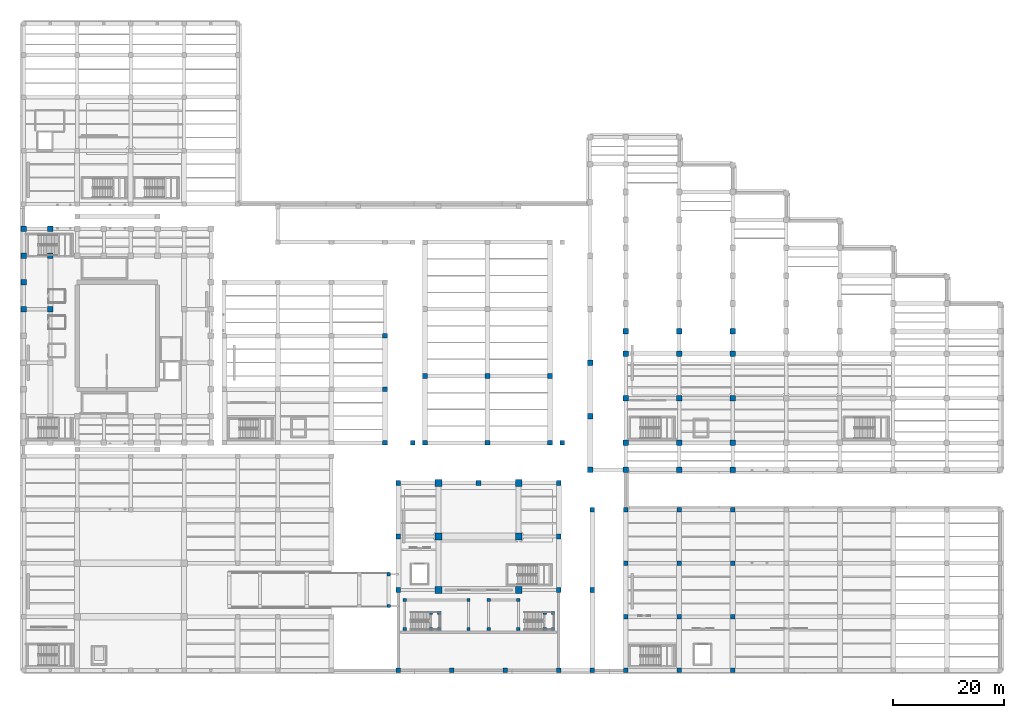
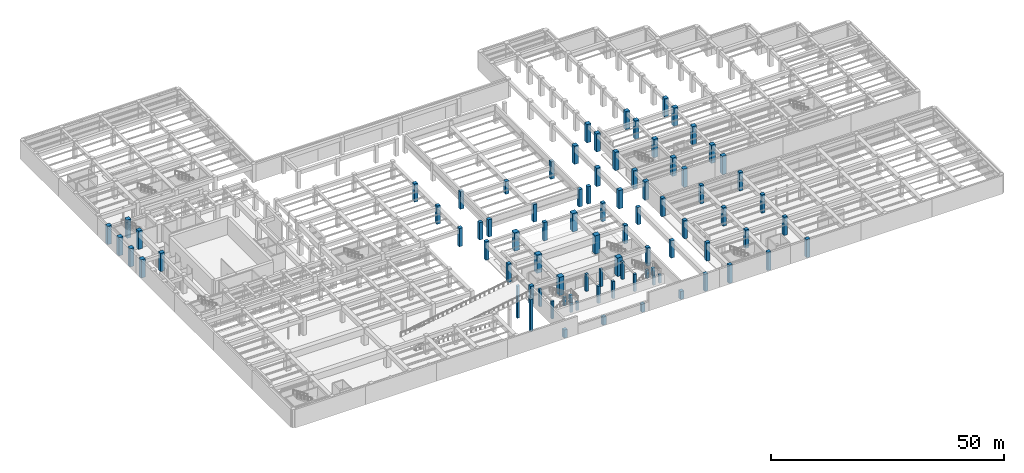
# One storey, part 6 of 45: 86 columns.
"""IFC4 building model written with IfcOpenShell, lengths in metres."""

from ifc_helpers import new_model, si_unit, direction, frame, origin, origin_2d, place, context, subcontext, project, spatial, rectangle, extrude, material, material_profile, profile_set, type_object, element, save


model = new_model("IFC4")

# Units and contexts
model_context = context("Model", 3, precision=1e-05, world=origin(), true_north=direction((0.0, 1.0)))
body_context = subcontext(model_context, "Body", "Model", "MODEL_VIEW")
ifc_project = project(units=[si_unit("LENGTHUNIT", "METRE"), si_unit("AREAUNIT", "SQUARE_METRE"), si_unit("VOLUMEUNIT", "CUBIC_METRE"), si_unit("PLANEANGLEUNIT", "RADIAN"), si_unit("MASSUNIT", "GRAM", prefix="KILO")], contexts=[model_context])

# Site, building, storey
site_placement = place(None, origin())
site = spatial("IfcSite", under=ifc_project, at=site_placement, CompositionType="ELEMENT")
building_placement = place(site_placement, origin())
building = spatial("IfcBuilding", under=site, at=building_placement, Name="Mavantir Sound Aquarium", CompositionType="ELEMENT")
storey_placement = place(building_placement, frame((0.0, 0.0, -4.800048828125)))
storey = spatial("IfcBuildingStorey", under=building, at=storey_placement, Name="B1", CompositionType="ELEMENT", Elevation=-4.800048828125)

# Columns
ifc_material = material(Name="Concrete C40/50", Category="concrete")
ifc_material_profile_1 = material_profile(ifc_material, rectangle(XDim=1.0, YDim=1.0, at=origin_2d()), Name="RC 1000X1000")
ifc_profile_set_1 = profile_set([ifc_material_profile_1], Name="Concrete C40/50")
column_type_1 = type_object("IfcColumnType", Name="COL-RC1000-E", PredefinedType="COLUMN", material=ifc_profile_set_1)
for number, where, z_axis, x_axis, name in (
    (1, (0.0, 64.800048828125, 0.0), (0.0, 0.0, 1.0), (1.0, 0.0, 0.0), "B1 column RC-C10 (V1)"),
    (2, (0.0, 69.60009765625, 0.0), (0.0, 0.0, 1.0), (1.0, 0.0, 0.0), "B1 column RC-C10 (V1)"),
    (3, (0.0, 74.39990234375, 0.0), (0.0, 0.0, 1.0), (1.0, 0.0, 0.0), "B1 column RC-C10 (V1)"),
    (4, (0.0, 79.199951171875, 0.0), (0.0, 0.0, 1.0), (1.0, 0.0, 0.0), "B1 column RC-C10 (V1)"),
):
    element("IfcColumn", number, at=place(storey_placement, frame(where, z_axis=z_axis, x_axis=x_axis)), inside=storey, type_object=column_type_1, Name=name, PredefinedType="COLUMN", context=body_context, shape_type="SweptSolid", body=[
        extrude(rectangle(XDim=1.0, YDim=1.0, at=origin_2d()), origin(), (0.0, 0.0, 1.0), 4.800048828125),
    ])
ifc_material_profile_2 = material_profile(ifc_material, rectangle(XDim=1.0, YDim=1.0, at=origin_2d()), Name="RC 1000X1000")
ifc_profile_set_2 = profile_set([ifc_material_profile_2], Name="Concrete C40/50")
column_type_2 = type_object("IfcColumnType", Name="COL-RC1000-I", PredefinedType="COLUMN", material=ifc_profile_set_2)
for number, where, z_axis, x_axis, name in (
    (5, (4.800048828125, 64.800048828125, 0.0), (0.0, 0.0, 1.0), (1.0, 0.0, 0.0), "B1 column RC-C10 (V1)"),
    (6, (4.800048828125, 74.39990234375, 0.0), (0.0, 0.0, 1.0), (1.0, 0.0, 0.0), "B1 column RC-C10 (V1)"),
    (7, (4.800048828125, 79.199951171875, 0.0), (0.0, 0.0, 1.0), (1.0, 0.0, 0.0), "B1 column RC-C10 (V1)"),
    (8, (101.60009765625, 36.0, 0.0), (0.0, 0.0, 1.0), (1.0, 0.0, 0.0), "B1 column RC-C10 (V4)"),
    (9, (101.60009765625, 45.60009765625, 0.0), (0.0, 0.0, 1.0), (1.0, 0.0, 0.0), "B1 column RC-C10 (V4)"),
    (10, (101.60009765625, 55.199951171875, 0.0), (0.0, 0.0, 1.0), (1.0, 0.0, 0.0), "B1 column RC-C10 (V4)"),
    (11, (108.0, 36.0, 0.0), (0.0, 0.0, 1.0), (1.0, 0.0, 0.0), "B1 column RC-C10 (V4)"),
    (12, (108.0, 40.800048828125, 0.0), (0.0, 0.0, 1.0), (1.0, 0.0, 0.0), "B1 column RC-C10 (V4)"),
    (13, (108.0, 48.800048828125, 0.0), (0.0, 0.0, 1.0), (1.0, 0.0, 0.0), "B1 column RC-C10 (V4)"),
    (14, (108.0, 56.800048828125, 0.0), (0.0, 0.0, 1.0), (1.0, 0.0, 0.0), "B1 column RC-C10 (V4)"),
    (15, (108.0, 60.800048828125, 0.0), (0.0, 0.0, 1.0), (1.0, 0.0, 0.0), "B1 column RC-C10 (V4)"),
    (16, (117.60009765625, 36.0, 0.0), (0.0, 0.0, 1.0), (1.0, 0.0, 0.0), "B1 column RC-C10 (V4)"),
    (17, (117.60009765625, 40.800048828125, 0.0), (0.0, 0.0, 1.0), (1.0, 0.0, 0.0), "B1 column RC-C10 (V4)"),
    (18, (117.60009765625, 48.800048828125, 0.0), (0.0, 0.0, 1.0), (1.0, 0.0, 0.0), "B1 column RC-C10 (V4)"),
    (19, (117.60009765625, 56.800048828125, 0.0), (0.0, 0.0, 1.0), (1.0, 0.0, 0.0), "B1 column RC-C10 (V4)"),
    (20, (117.60009765625, 60.800048828125, 0.0), (0.0, 0.0, 1.0), (1.0, 0.0, 0.0), "B1 column RC-C10 (V4)"),
    (21, (127.199951171875, 36.0, 0.0), (0.0, 0.0, 1.0), (1.0, 0.0, 0.0), "B1 column RC-C10 (V4)"),
    (22, (127.199951171875, 40.800048828125, 0.0), (0.0, 0.0, 1.0), (1.0, 0.0, 0.0), "B1 column RC-C10 (V4)"),
    (23, (127.199951171875, 48.800048828125, 0.0), (0.0, 0.0, 1.0), (1.0, 0.0, 0.0), "B1 column RC-C10 (V4)"),
    (24, (127.199951171875, 56.800048828125, 0.0), (0.0, 0.0, 1.0), (1.0, 0.0, 0.0), "B1 column RC-C10 (V4)"),
    (25, (127.199951171875, 60.800048828125, 0.0), (0.0, 0.0, 1.0), (1.0, 0.0, 0.0), "B1 column RC-C10 (V4)"),
):
    element("IfcColumn", number, at=place(storey_placement, frame(where, z_axis=z_axis, x_axis=x_axis)), inside=storey, type_object=column_type_2, Name=name, PredefinedType="COLUMN", context=body_context, shape_type="SweptSolid", body=[
        extrude(rectangle(XDim=1.0, YDim=1.0, at=origin_2d()), origin(), (0.0, 0.0, 1.0), 4.800048828125),
    ])
ifc_material_profile_3 = material_profile(ifc_material, rectangle(XDim=1.199951171875, YDim=1.199951171875, at=origin_2d()), Name="RC 1200X1200")
ifc_profile_set_3 = profile_set([ifc_material_profile_3], Name="Concrete C40/50")
column_type_3 = type_object("IfcColumnType", Name="COL-RC1200-I", PredefinedType="COLUMN", material=ifc_profile_set_3)
for number, where, z_axis, x_axis, name in (
    (26, (74.39990234375, 14.39990234375, 0.0), (0.0, 0.0, 1.0), (1.0, 0.0, 0.0), "B1 column RC-C12 (V7)"),
    (27, (74.39990234375, 24.0, 0.0), (0.0, 0.0, 1.0), (1.0, 0.0, 0.0), "B1 column RC-C12 (V7)"),
    (28, (74.39990234375, 33.60009765625, 0.0), (0.0, 0.0, 1.0), (1.0, 0.0, 0.0), "B1 column RC-C12 (V7)"),
    (29, (88.800048828125, 14.39990234375, 0.0), (0.0, 0.0, 1.0), (1.0, 0.0, 0.0), "B1 column RC-C12 (V7)"),
    (30, (88.800048828125, 24.0, 0.0), (0.0, 0.0, 1.0), (1.0, 0.0, 0.0), "B1 column RC-C12 (V7)"),
    (31, (88.800048828125, 33.60009765625, 0.0), (0.0, 0.0, 1.0), (1.0, 0.0, 0.0), "B1 column RC-C12 (V7)"),
):
    element("IfcColumn", number, at=place(storey_placement, frame(where, z_axis=z_axis, x_axis=x_axis)), inside=storey, type_object=column_type_3, Name=name, PredefinedType="COLUMN", context=body_context, shape_type="SweptSolid", body=[
        extrude(rectangle(XDim=1.199951171875, YDim=1.199951171875, at=origin_2d()), origin(), (0.0, 0.0, 1.0), 4.800048828125),
    ])
ifc_material_profile_4 = material_profile(ifc_material, rectangle(XDim=0.60009765625, YDim=0.60009765625, at=origin_2d()), Name="RC 600X600")
ifc_profile_set_4 = profile_set([ifc_material_profile_4], Name="Concrete C40/50")
column_type_4 = type_object("IfcColumnType", Name="COL-RC600-E", PredefinedType="COLUMN", material=ifc_profile_set_4)
for number, where, z_axis, x_axis, name in (
    (32, (68.35009765625, 7.39990234375, 0.0), (0.0, 0.0, 1.0), (1.0, 0.0, 0.0), "Forecourt cascade ST13 B1 pier 1"),
    (33, (68.35009765625, 12.60009765625, 0.0), (0.0, 0.0, 1.0), (1.0, 0.0, 0.0), "Forecourt cascade ST13 B1 pier 2"),
    (34, (79.800048828125, 7.39990234375, 0.0), (0.0, 0.0, 1.0), (1.0, 0.0, 0.0), "Forecourt cascade ST13 B1 pier 3"),
    (35, (79.800048828125, 12.60009765625, 0.0), (0.0, 0.0, 1.0), (1.0, 0.0, 0.0), "Forecourt cascade ST13 B1 pier 4"),
):
    element("IfcColumn", number, at=place(storey_placement, frame(where, z_axis=z_axis, x_axis=x_axis)), inside=storey, type_object=column_type_4, Name=name, PredefinedType="COLUMN", context=body_context, shape_type="SweptSolid", body=[
        extrude(rectangle(XDim=0.60009765625, YDim=0.60009765625, at=origin_2d()), origin(), (0.0, 0.0, 1.0), 4.4951171875),
    ])
for number, where, z_axis, x_axis, name in (
    (36, (73.06005859375, 7.39990234375, 0.0), (0.0, 0.0, 1.0), (1.0, 0.0, 0.0), "Forecourt cascade ST13 B1 pier 5"),
    (37, (73.06005859375, 10.300048828125, 0.0), (0.0, 0.0, 1.0), (1.0, 0.0, 0.0), "Forecourt cascade ST13 B1 pier 6"),
    (38, (74.550048828125, 7.39990234375, 0.0), (0.0, 0.0, 1.0), (1.0, 0.0, 0.0), "Forecourt cascade ST13 B1 pier 7"),
    (39, (74.550048828125, 10.300048828125, 0.0), (0.0, 0.0, 1.0), (1.0, 0.0, 0.0), "Forecourt cascade ST13 B1 pier 8"),
):
    element("IfcColumn", number, at=place(storey_placement, frame(where, z_axis=z_axis, x_axis=x_axis)), inside=storey, type_object=column_type_4, Name=name, PredefinedType="COLUMN", context=body_context, shape_type="SweptSolid", body=[
        extrude(rectangle(XDim=0.60009765625, YDim=0.60009765625, at=origin_2d()), origin(), (0.0, 0.0, 1.0), 2.197998046875),
    ])
for number, where, z_axis, x_axis, name in (
    (40, (88.75, 7.39990234375, 0.0), (0.0, 0.0, 1.0), (1.0, 0.0, 0.0), "Forecourt cascade ST14 B1 pier 1"),
    (41, (88.75, 12.60009765625, 0.0), (0.0, 0.0, 1.0), (1.0, 0.0, 0.0), "Forecourt cascade ST14 B1 pier 2"),
    (42, (83.39990234375, 7.39990234375, 0.0), (0.0, 0.0, 1.0), (1.0, 0.0, 0.0), "Forecourt cascade ST14 B1 pier 3"),
    (43, (83.39990234375, 12.60009765625, 0.0), (0.0, 0.0, 1.0), (1.0, 0.0, 0.0), "Forecourt cascade ST14 B1 pier 4"),
):
    element("IfcColumn", number, at=place(storey_placement, frame(where, z_axis=z_axis, x_axis=x_axis)), inside=storey, type_object=column_type_4, Name=name, PredefinedType="COLUMN", context=body_context, shape_type="SweptSolid", body=[
        extrude(rectangle(XDim=0.60009765625, YDim=0.60009765625, at=origin_2d()), origin(), (0.0, 0.0, 1.0), 4.4951171875),
    ])
for number, where, z_axis, x_axis, name in (
    (44, (93.4599609375, 7.39990234375, 0.0), (0.0, 0.0, 1.0), (1.0, 0.0, 0.0), "Forecourt cascade ST14 B1 pier 5"),
    (45, (93.4599609375, 10.300048828125, 0.0), (0.0, 0.0, 1.0), (1.0, 0.0, 0.0), "Forecourt cascade ST14 B1 pier 6"),
    (46, (94.949951171875, 7.39990234375, 0.0), (0.0, 0.0, 1.0), (1.0, 0.0, 0.0), "Forecourt cascade ST14 B1 pier 7"),
    (47, (94.949951171875, 10.300048828125, 0.0), (0.0, 0.0, 1.0), (1.0, 0.0, 0.0), "Forecourt cascade ST14 B1 pier 8"),
):
    element("IfcColumn", number, at=place(storey_placement, frame(where, z_axis=z_axis, x_axis=x_axis)), inside=storey, type_object=column_type_4, Name=name, PredefinedType="COLUMN", context=body_context, shape_type="SweptSolid", body=[
        extrude(rectangle(XDim=0.60009765625, YDim=0.60009765625, at=origin_2d()), origin(), (0.0, 0.0, 1.0), 2.197998046875),
    ])
ifc_material_profile_5 = material_profile(ifc_material, rectangle(XDim=0.60009765625, YDim=0.60009765625, at=origin_2d()), Name="RC 600X600")
ifc_profile_set_5 = profile_set([ifc_material_profile_5], Name="Concrete C40/50")
column_type_5 = type_object("IfcColumnType", Name="COL-RC600-I", PredefinedType="COLUMN", material=ifc_profile_set_5)
for number, where, z_axis, x_axis, name in (
    (48, (65.5, 11.550048828125, -4.800048828125), (0.0, 0.0, 1.0), (1.0, 0.0, 0.0), "Vehicle ramp support pier 4"),
    (49, (65.5, 17.25, -4.800048828125), (0.0, 0.0, 1.0), (1.0, 0.0, 0.0), "Vehicle ramp support pier 4"),
):
    element("IfcColumn", number, at=place(storey_placement, frame(where, z_axis=z_axis, x_axis=x_axis)), inside=storey, type_object=column_type_5, Name=name, PredefinedType="COLUMN", context=body_context, shape_type="SweptSolid", body=[
        extrude(rectangle(XDim=0.60009765625, YDim=0.60009765625, at=origin_2d()), origin(), (0.0, 0.0, 1.0), 8.39111328125),
    ])
ifc_material_profile_6 = material_profile(ifc_material, rectangle(XDim=0.85009765625, YDim=0.85009765625, at=origin_2d()), Name="RC 850X850")
ifc_profile_set_6 = profile_set([ifc_material_profile_6], Name="Concrete C40/50")
column_type_6 = type_object("IfcColumnType", Name="COL-RC850-E", PredefinedType="COLUMN", material=ifc_profile_set_6)
for number, where, z_axis, x_axis, name in (
    (50, (108.0, 0.0, 0.0), (0.0, 0.0, 1.0), (1.0, 0.0, 0.0), "B1 column RC-C85 (V6)"),
    (51, (117.60009765625, 0.0, 0.0), (0.0, 0.0, 1.0), (1.0, 0.0, 0.0), "B1 column RC-C85 (V6)"),
    (52, (127.199951171875, 0.0, 0.0), (0.0, 0.0, 1.0), (1.0, 0.0, 0.0), "B1 column RC-C85 (V6)"),
):
    element("IfcColumn", number, at=place(storey_placement, frame(where, z_axis=z_axis, x_axis=x_axis)), inside=storey, type_object=column_type_6, Name=name, PredefinedType="COLUMN", context=body_context, shape_type="SweptSolid", body=[
        extrude(rectangle(XDim=0.85009765625, YDim=0.85009765625, at=origin_2d()), origin(), (0.0, 0.0, 1.0), 4.800048828125),
    ])
for number, where, z_axis, x_axis, name in (
    (53, (67.199951171875, 0.0, 0.0), (0.0, 0.0, 1.0), (1.0, 0.0, 0.0), "B1 column RC-C85 (COURT)"),
    (54, (76.800048828125, 0.0, 0.0), (0.0, 0.0, 1.0), (1.0, 0.0, 0.0), "B1 column RC-C85 (COURT)"),
    (55, (86.39990234375, 0.0, 0.0), (0.0, 0.0, 1.0), (1.0, 0.0, 0.0), "B1 column RC-C85 (COURT)"),
    (56, (96.0, 0.0, 0.0), (0.0, 0.0, 1.0), (1.0, 0.0, 0.0), "B1 column RC-C85 (COURT)"),
):
    element("IfcColumn", number, at=place(storey_placement, frame(where, z_axis=z_axis, x_axis=x_axis)), inside=storey, type_object=column_type_6, Name=name, PredefinedType="COLUMN", context=body_context, shape_type="SweptSolid", body=[
        extrude(rectangle(XDim=0.85009765625, YDim=0.85009765625, at=origin_2d()), origin(), (0.0, 0.0, 1.0), 2.10009765625),
    ])
column_1_placement = place(storey_placement, frame((102.0, 0.0, 0.0), z_axis=(0.0, 0.0, 1.0), x_axis=(1.0, 0.0, 0.0)))
element("IfcColumn", 57, at=column_1_placement, inside=storey, type_object=column_type_6, Name="B1 column RC-C85 (COURT)", PredefinedType="COLUMN", context=body_context, shape_type="SweptSolid", body=[
    extrude(rectangle(XDim=0.85009765625, YDim=0.85009765625, at=origin_2d()), origin(), (0.0, 0.0, 1.0), 4.5),
])
ifc_material_profile_7 = material_profile(ifc_material, rectangle(XDim=0.85009765625, YDim=0.85009765625, at=origin_2d()), Name="RC 850X850")
ifc_profile_set_7 = profile_set([ifc_material_profile_7], Name="Concrete C40/50")
column_type_7 = type_object("IfcColumnType", Name="COL-RC850-I", PredefinedType="COLUMN", material=ifc_profile_set_7)
for number, where, z_axis, x_axis, name in (
    (58, (64.800048828125, 40.800048828125, 0.0), (0.0, 0.0, 1.0), (1.0, 0.0, 0.0), "B1 column RC-C85 (V2)"),
    (59, (64.800048828125, 50.39990234375, 0.0), (0.0, 0.0, 1.0), (1.0, 0.0, 0.0), "B1 column RC-C85 (V2)"),
    (60, (64.800048828125, 60.0, 0.0), (0.0, 0.0, 1.0), (1.0, 0.0, 0.0), "B1 column RC-C85 (V2)"),
    (61, (108.0, 9.60009765625, 0.0), (0.0, 0.0, 1.0), (1.0, 0.0, 0.0), "B1 column RC-C85 (V6)"),
    (62, (108.0, 19.199951171875, 0.0), (0.0, 0.0, 1.0), (1.0, 0.0, 0.0), "B1 column RC-C85 (V6)"),
    (63, (108.0, 28.800048828125, 0.0), (0.0, 0.0, 1.0), (1.0, 0.0, 0.0), "B1 column RC-C85 (V6)"),
    (64, (117.60009765625, 9.60009765625, 0.0), (0.0, 0.0, 1.0), (1.0, 0.0, 0.0), "B1 column RC-C85 (V6)"),
    (65, (117.60009765625, 19.199951171875, 0.0), (0.0, 0.0, 1.0), (1.0, 0.0, 0.0), "B1 column RC-C85 (V6)"),
    (66, (117.60009765625, 28.800048828125, 0.0), (0.0, 0.0, 1.0), (1.0, 0.0, 0.0), "B1 column RC-C85 (V6)"),
    (67, (127.199951171875, 9.60009765625, 0.0), (0.0, 0.0, 1.0), (1.0, 0.0, 0.0), "B1 column RC-C85 (V6)"),
    (68, (127.199951171875, 19.199951171875, 0.0), (0.0, 0.0, 1.0), (1.0, 0.0, 0.0), "B1 column RC-C85 (V6)"),
    (69, (127.199951171875, 28.800048828125, 0.0), (0.0, 0.0, 1.0), (1.0, 0.0, 0.0), "B1 column RC-C85 (V6)"),
    (70, (67.199951171875, 14.39990234375, 0.0), (0.0, 0.0, 1.0), (1.0, 0.0, 0.0), "B1 column RC-C85 (V7)"),
    (71, (67.199951171875, 24.0, 0.0), (0.0, 0.0, 1.0), (1.0, 0.0, 0.0), "B1 column RC-C85 (V7)"),
    (72, (67.199951171875, 33.60009765625, 0.0), (0.0, 0.0, 1.0), (1.0, 0.0, 0.0), "B1 column RC-C85 (V7)"),
    (73, (81.60009765625, 33.60009765625, 0.0), (0.0, 0.0, 1.0), (1.0, 0.0, 0.0), "B1 column RC-C85 (V7)"),
    (74, (96.0, 14.39990234375, 0.0), (0.0, 0.0, 1.0), (1.0, 0.0, 0.0), "B1 column RC-C85 (V7)"),
    (75, (96.0, 24.0, 0.0), (0.0, 0.0, 1.0), (1.0, 0.0, 0.0), "B1 column RC-C85 (V7)"),
    (76, (96.0, 33.60009765625, 0.0), (0.0, 0.0, 1.0), (1.0, 0.0, 0.0), "B1 column RC-C85 (V7)"),
):
    element("IfcColumn", number, at=place(storey_placement, frame(where, z_axis=z_axis, x_axis=x_axis)), inside=storey, type_object=column_type_7, Name=name, PredefinedType="COLUMN", context=body_context, shape_type="SweptSolid", body=[
        extrude(rectangle(XDim=0.85009765625, YDim=0.85009765625, at=origin_2d()), origin(), (0.0, 0.0, 1.0), 4.800048828125),
    ])
for number, where, z_axis, x_axis, name in (
    (77, (102.0, 14.39990234375, 0.0), (0.0, 0.0, 1.0), (1.0, 0.0, 0.0), "B1 column RC-C85 (COURT)"),
    (78, (102.0, 28.800048828125, 0.0), (0.0, 0.0, 1.0), (1.0, 0.0, 0.0), "B1 column RC-C85 (COURT)"),
):
    element("IfcColumn", number, at=place(storey_placement, frame(where, z_axis=z_axis, x_axis=x_axis)), inside=storey, type_object=column_type_7, Name=name, PredefinedType="COLUMN", context=body_context, shape_type="SweptSolid", body=[
        extrude(rectangle(XDim=0.85009765625, YDim=0.85009765625, at=origin_2d()), origin(), (0.0, 0.0, 1.0), 4.5),
    ])
for number, where, z_axis, x_axis, name in (
    (79, (69.800048828125, 40.800048828125, 0.0), (0.0, 0.0, 1.0), (1.0, 0.0, 0.0), "B1 column RC-C85 (COURT)"),
    (80, (72.0, 40.800048828125, 0.0), (0.0, 0.0, 1.0), (1.0, 0.0, 0.0), "B1 column RC-C85 (COURT)"),
    (81, (83.199951171875, 40.800048828125, 0.0), (0.0, 0.0, 1.0), (1.0, 0.0, 0.0), "B1 column RC-C85 (COURT)"),
    (82, (94.39990234375, 40.800048828125, 0.0), (0.0, 0.0, 1.0), (1.0, 0.0, 0.0), "B1 column RC-C85 (COURT)"),
    (83, (96.60009765625, 40.800048828125, 0.0), (0.0, 0.0, 1.0), (1.0, 0.0, 0.0), "B1 column RC-C85 (COURT)"),
    (84, (72.0, 52.800048828125, 0.0), (0.0, 0.0, 1.0), (1.0, 0.0, 0.0), "B1 column RC-C85 (COURT)"),
):
    element("IfcColumn", number, at=place(storey_placement, frame(where, z_axis=z_axis, x_axis=x_axis)), inside=storey, type_object=column_type_7, Name=name, PredefinedType="COLUMN", context=body_context, shape_type="SweptSolid", body=[
        extrude(rectangle(XDim=0.85009765625, YDim=0.85009765625, at=origin_2d()), origin(), (0.0, 0.0, 1.0), 4.550048828125),
    ])
column_2_placement = place(storey_placement, frame((83.199951171875, 52.800048828125, 0.0), z_axis=(0.0, 0.0, 1.0), x_axis=(1.0, 0.0, 0.0)))
element("IfcColumn", 85, at=column_2_placement, inside=storey, type_object=column_type_7, Name="B1 column RC-C85 (COURT)", PredefinedType="COLUMN", context=body_context, shape_type="SweptSolid", body=[
    extrude(rectangle(XDim=0.85009765625, YDim=0.85009765625, at=origin_2d()), origin(), (0.0, 0.0, 1.0), 3.300048828125),
])
column_3_placement = place(storey_placement, frame((94.39990234375, 52.800048828125, 0.0), z_axis=(0.0, 0.0, 1.0), x_axis=(1.0, 0.0, 0.0)))
element("IfcColumn", 86, at=column_3_placement, inside=storey, type_object=column_type_7, Name="B1 column RC-C85 (COURT)", PredefinedType="COLUMN", context=body_context, shape_type="SweptSolid", body=[
    extrude(rectangle(XDim=0.85009765625, YDim=0.85009765625, at=origin_2d()), origin(), (0.0, 0.0, 1.0), 4.550048828125),
])

save(model, "model.ifc")
